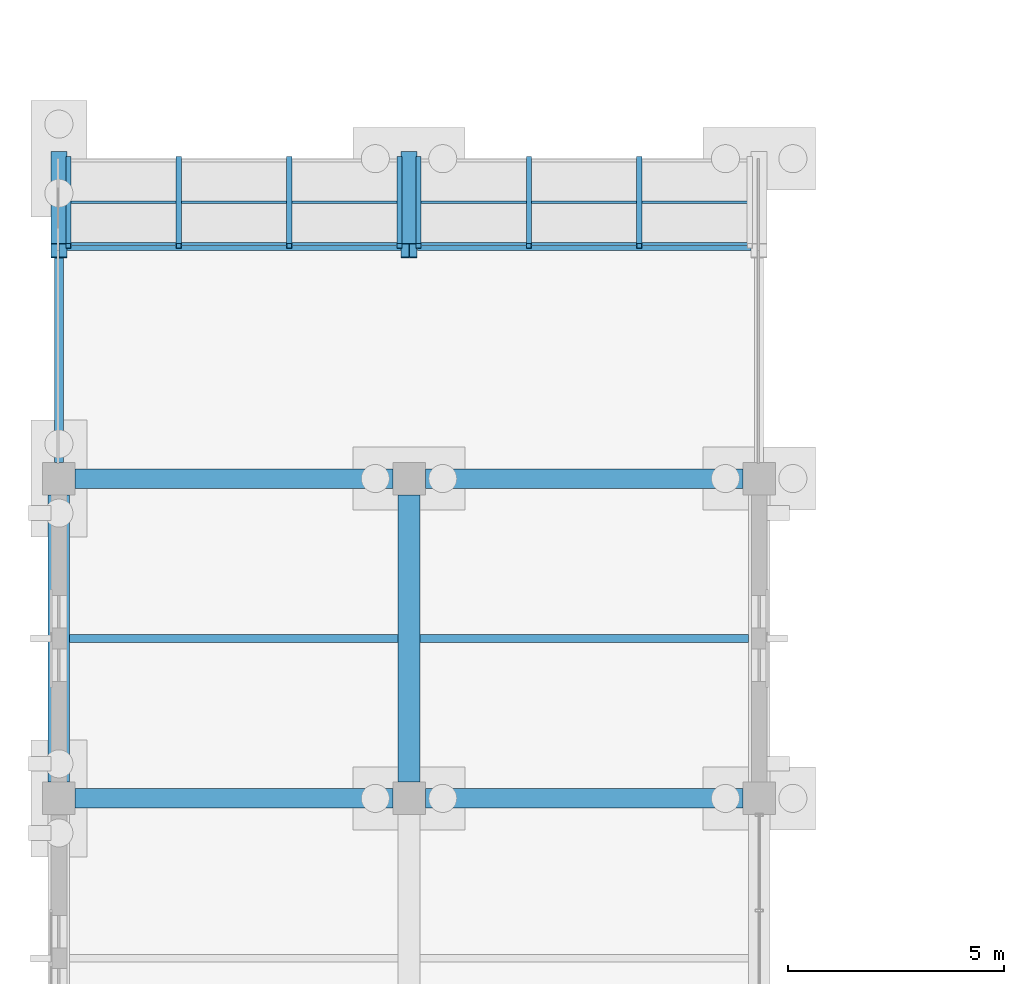
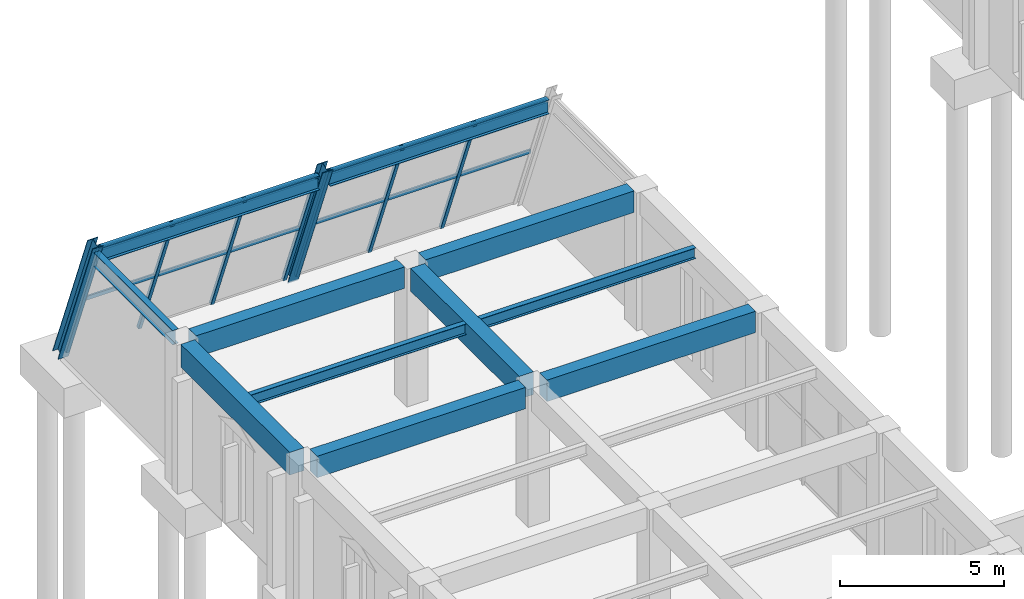
# One storey, part 57 of 140: 13 members, 11 beams, 2 elements without a shape of their own.
"""IFC4 building model written with IfcOpenShell, lengths in metres."""

from ifc_helpers import new_model, si_unit, direction, frame, origin, origin_2d, place, context, subcontext, project, spatial, rectangle, hollow_rectangle, i_section, extrude, material, material_profile, profile_set, type_object, element, aggregate, save


model = new_model("IFC4")

# Units and contexts
model_context = context("Model", 3, precision=1e-05, world=origin(), true_north=direction((0.0, 1.0)))
body_context = subcontext(model_context, "Body", "Model", "MODEL_VIEW")
ifc_project = project(units=[si_unit("LENGTHUNIT", "METRE"), si_unit("AREAUNIT", "SQUARE_METRE"), si_unit("VOLUMEUNIT", "CUBIC_METRE"), si_unit("PLANEANGLEUNIT", "RADIAN"), si_unit("MASSUNIT", "GRAM", prefix="KILO")], contexts=[model_context])

# Site, building, storey
site_placement = place(None, origin())
site = spatial("IfcSite", under=ifc_project, at=site_placement, CompositionType="ELEMENT")
building_placement = place(site_placement, origin())
building = spatial("IfcBuilding", under=site, at=building_placement, Name="Cimatlan Art Gallery", CompositionType="ELEMENT")
storey_placement = place(building_placement, origin())
storey = spatial("IfcBuildingStorey", under=building, at=storey_placement, Name="L00", CompositionType="ELEMENT", Elevation=0.0)

# Beams
ifc_material_1 = material(Name="Concrete C40/50", Category="concrete")
ifc_material_profile_1 = material_profile(ifc_material_1, rectangle(XDim=0.449951171875, YDim=0.800048828125, at=origin_2d()), Name="RC450X800")
ifc_profile_set_1 = profile_set([ifc_material_profile_1], Name="Concrete C40/50")
beam_type_1 = type_object("IfcBeamType", Name="BM-RC-450X800", PredefinedType="BEAM", material=ifc_profile_set_1)
for number, where, z_axis, x_axis, name in (
    (1, (2.375, 83.10009765625, 4.735107421875), (1.0, 0.0, 0.0), (0.0, 1.0, 0.0), "BM-X-L00-00-11"),
    (2, (2.375, 90.5, 4.735107421875), (1.0, 0.0, 0.0), (0.0, 1.0, 0.0), "BM-X-L00-00-12"),
):
    element("IfcBeam", number, at=place(storey_placement, frame(where, z_axis=z_axis, x_axis=x_axis)), inside=storey, type_object=beam_type_1, Name=name, PredefinedType="BEAM", context=body_context, shape_type="SweptSolid", body=[
        extrude(rectangle(XDim=0.449951171875, YDim=0.800048828125, at=origin_2d()), origin(), (0.0, 0.0, 1.0), 7.35009765625),
    ])
for number, where, z_axis, x_axis, name in (
    (3, (10.47509765625, 83.10009765625, 4.735107421875), (1.0, 0.0, 0.0), (0.0, 1.0, 0.0), "BM-X-L00-01-11"),
    (4, (10.47509765625, 90.5, 4.735107421875), (1.0, 0.0, 0.0), (0.0, 1.0, 0.0), "BM-X-L00-01-12"),
):
    element("IfcBeam", number, at=place(storey_placement, frame(where, z_axis=z_axis, x_axis=x_axis)), inside=storey, type_object=beam_type_1, Name=name, PredefinedType="BEAM", context=body_context, shape_type="SweptSolid", body=[
        extrude(rectangle(XDim=0.449951171875, YDim=0.800048828125, at=origin_2d()), origin(), (0.0, 0.0, 1.0), 7.349853515625),
    ])
ifc_material_profile_2 = material_profile(ifc_material_1, rectangle(XDim=0.5, YDim=0.85009765625, at=origin_2d()), Name="RC500X850")
ifc_profile_set_2 = profile_set([ifc_material_profile_2], Name="Concrete C40/50")
beam_type_2 = type_object("IfcBeamType", Name="BM-RC-500X850", PredefinedType="BEAM", material=ifc_profile_set_2)
for number, where, z_axis, x_axis, name in (
    (5, (2.0, 83.47509765625, 4.7099609375), (0.0, 1.0, 0.0), (-1.0, 0.0, 0.0), "BM-Y-L00-00-11"),
    (6, (10.10009765625, 83.47509765625, 4.7099609375), (0.0, 1.0, 0.0), (-1.0, 0.0, 0.0), "BM-Y-L00-01-11"),
):
    element("IfcBeam", number, at=place(storey_placement, frame(where, z_axis=z_axis, x_axis=x_axis)), inside=storey, type_object=beam_type_2, Name=name, PredefinedType="BEAM", context=body_context, shape_type="SweptSolid", body=[
        extrude(rectangle(XDim=0.5, YDim=0.85009765625, at=origin_2d()), origin(), (0.0, 0.0, 1.0), 6.64990234375),
    ])
ifc_material_2 = material(Name="Steel ASTM A992 Grade 50", Category="steel")
ifc_material_profile_3 = material_profile(ifc_material_2, i_section(OverallWidth=0.177978515625, OverallDepth=0.406982421875, WebThickness=0.0078125, FlangeThickness=0.0126953125, at=origin_2d()), Name="W16X40")
ifc_profile_set_3 = profile_set([ifc_material_profile_3], Name="Steel ASTM A992 Grade 50")
beam_type_3 = type_object("IfcBeamType", Name="BM-STL-W16X40", PredefinedType="JOIST", material=ifc_profile_set_3)
beam_1_placement = place(storey_placement, frame((2.25, 86.800048828125, 4.931396484375), z_axis=(1.0, 0.0, 0.0), x_axis=(0.0, 1.0, 0.0)))
element("IfcBeam", 7, at=beam_1_placement, inside=storey, type_object=beam_type_3, Name="JST-L00-00-11", PredefinedType="JOIST", context=body_context, shape_type="SweptSolid", body=[
    extrude(i_section(OverallWidth=0.177978515625, OverallDepth=0.406982421875, WebThickness=0.0078125, FlangeThickness=0.0126953125, at=origin_2d()), origin(), (0.0, 0.0, 1.0), 7.60009765625),
])
beam_2_placement = place(storey_placement, frame((10.35009765625, 86.800048828125, 4.931396484375), z_axis=(1.0, 0.0, 0.0), x_axis=(0.0, 1.0, 0.0)))
element("IfcBeam", 8, at=beam_2_placement, inside=storey, type_object=beam_type_3, Name="JST-L00-01-11", PredefinedType="JOIST", context=body_context, shape_type="SweptSolid", body=[
    extrude(i_section(OverallWidth=0.177978515625, OverallDepth=0.406982421875, WebThickness=0.0078125, FlangeThickness=0.0126953125, at=origin_2d()), origin(), (0.0, 0.0, 1.0), 7.599853515625),
])
ifc_material_profile_4 = material_profile(ifc_material_2, i_section(OverallWidth=0.2099609375, OverallDepth=0.532958984375, WebThickness=0.01025390625, FlangeThickness=0.015625, at=origin_2d()), Name="W21X62")
ifc_profile_set_4 = profile_set([ifc_material_profile_4], Name="Steel ASTM A992 Grade 50")
beam_type_4 = type_object("IfcBeamType", Name="BM-STL-W21X62", PredefinedType="BEAM", material=ifc_profile_set_4)
for number, where, z_axis, x_axis, name in (
    (9, (2.18994140625, 95.877197265625, 4.868408203125), (1.0, 0.0, 0.0), (0.0, 1.0, 0.0), "BM-PRW-X-L00-B1-0"),
    (10, (10.2900390625, 95.877197265625, 4.868408203125), (1.0, 0.0, 0.0), (0.0, 1.0, 0.0), "BM-PRW-X-L00-B1-1"),
):
    element("IfcBeam", number, at=place(storey_placement, frame(where, z_axis=z_axis, x_axis=x_axis)), inside=storey, type_object=beam_type_4, Name=name, PredefinedType="BEAM", context=body_context, shape_type="SweptSolid", body=[
        extrude(i_section(OverallWidth=0.2099609375, OverallDepth=0.532958984375, WebThickness=0.01025390625, FlangeThickness=0.015625, at=origin_2d()), origin(), (0.0, 0.0, 1.0), 7.719970703125),
    ])
beam_3_placement = place(storey_placement, frame((2.0, 90.875, 4.868408203125), z_axis=(0.0, 1.0, 0.0), x_axis=(-1.0, 0.0, 0.0)))
element("IfcBeam", 11, at=beam_3_placement, inside=storey, type_object=beam_type_4, Name="BM-PRW-Y-L00-B1-0", PredefinedType="BEAM", context=body_context, shape_type="SweptSolid", body=[
    extrude(i_section(OverallWidth=0.2099609375, OverallDepth=0.532958984375, WebThickness=0.01025390625, FlangeThickness=0.015625, at=origin_2d()), origin(), (0.0, 0.0, 1.0), 4.812255859375),
])

# Curtain wall, members
ifc_material_3 = material(Name="Raked steel-and-bronze lancet curtain wall", Category="steel")
curtain_wall_type = type_object("IfcCurtainWallType", Name="CW-RAK-07660X05503-B3", PredefinedType="NOTDEFINED", material=ifc_material_3)
curtain_wall_1_placement = place(storey_placement, origin())
curtain_wall_1 = element("IfcCurtainWall", 12, at=curtain_wall_1_placement, inside=storey, type_object=curtain_wall_type, Name="CW-PROW-L00-B1-0", PredefinedType="NOTDEFINED")
ifc_material_4 = material(Name="Steel ASTM A500 Grade C", Category="steel")
ifc_material_profile_5 = material_profile(ifc_material_4, hollow_rectangle(XDim=0.1201171875, YDim=0.1201171875, WallThickness=0.00634765625, at=origin_2d()), Name="HSS120X120X6")
ifc_profile_set_5 = profile_set([ifc_material_profile_5], Name="Steel ASTM A500 Grade C")
member_type_1 = type_object("IfcMemberType", Name="CW-MUL-RAK", PredefinedType="MULLION", material=ifc_profile_set_5)
member_1_placement = place(storey_placement, frame((2.219970703125, 97.89990234375, 0.0), z_axis=(0.0, -0.366459344578, 0.930434064709), x_axis=(1.0, 0.0, 0.0)))
member_1 = element("IfcMember", 13, at=member_1_placement, type_object=member_type_1, Name="CW-PROW-L00-B1-0-M1", PredefinedType="MULLION", context=body_context, shape_type="SweptSolid", body=[
    extrude(hollow_rectangle(XDim=0.1201171875, YDim=0.1201171875, WallThickness=0.00634765625, at=origin_2d()), origin(), (0.0, 0.0, 1.0), 5.5029296875),
])
member_2_placement = place(storey_placement, frame((4.773193359375, 97.89990234375, 0.0), z_axis=(0.0, -0.366459344578, 0.930434064709), x_axis=(1.0, 0.0, 0.0)))
member_2 = element("IfcMember", 14, at=member_2_placement, type_object=member_type_1, Name="CW-PROW-L00-B1-0-M2", PredefinedType="MULLION", context=body_context, shape_type="SweptSolid", body=[
    extrude(hollow_rectangle(XDim=0.1201171875, YDim=0.1201171875, WallThickness=0.00634765625, at=origin_2d()), origin(), (0.0, 0.0, 1.0), 5.5029296875),
])
member_3_placement = place(storey_placement, frame((7.32666015625, 97.89990234375, 0.0), z_axis=(0.0, -0.366459344578, 0.930434064709), x_axis=(1.0, 0.0, 0.0)))
member_3 = element("IfcMember", 15, at=member_3_placement, type_object=member_type_1, Name="CW-PROW-L00-B1-0-M3", PredefinedType="MULLION", context=body_context, shape_type="SweptSolid", body=[
    extrude(hollow_rectangle(XDim=0.1201171875, YDim=0.1201171875, WallThickness=0.00634765625, at=origin_2d()), origin(), (0.0, 0.0, 1.0), 5.5029296875),
])
member_4_placement = place(storey_placement, frame((9.8798828125, 97.89990234375, 0.0), z_axis=(0.0, -0.366459344578, 0.930434064709), x_axis=(1.0, 0.0, 0.0)))
member_4 = element("IfcMember", 16, at=member_4_placement, type_object=member_type_1, Name="CW-PROW-L00-B1-0-M4", PredefinedType="MULLION", context=body_context, shape_type="SweptSolid", body=[
    extrude(hollow_rectangle(XDim=0.1201171875, YDim=0.1201171875, WallThickness=0.00634765625, at=origin_2d()), origin(), (0.0, 0.0, 1.0), 5.5029296875),
])

curtain_wall_2_placement = place(storey_placement, origin())
curtain_wall_2 = element("IfcCurtainWall", 17, at=curtain_wall_2_placement, inside=storey, type_object=curtain_wall_type, Name="CW-PROW-L00-B1-1", PredefinedType="NOTDEFINED")
member_5_placement = place(storey_placement, frame((10.320068359375, 97.89990234375, 0.0), z_axis=(0.0, -0.366459344578, 0.930434064709), x_axis=(1.0, 0.0, 0.0)))
member_5 = element("IfcMember", 18, at=member_5_placement, type_object=member_type_1, Name="CW-PROW-L00-B1-1-M1", PredefinedType="MULLION", context=body_context, shape_type="SweptSolid", body=[
    extrude(hollow_rectangle(XDim=0.1201171875, YDim=0.1201171875, WallThickness=0.00634765625, at=origin_2d()), origin(), (0.0, 0.0, 1.0), 5.5029296875),
])
member_6_placement = place(storey_placement, frame((12.873291015625, 97.89990234375, 0.0), z_axis=(0.0, -0.366459344578, 0.930434064709), x_axis=(1.0, 0.0, 0.0)))
member_6 = element("IfcMember", 19, at=member_6_placement, type_object=member_type_1, Name="CW-PROW-L00-B1-1-M2", PredefinedType="MULLION", context=body_context, shape_type="SweptSolid", body=[
    extrude(hollow_rectangle(XDim=0.1201171875, YDim=0.1201171875, WallThickness=0.00634765625, at=origin_2d()), origin(), (0.0, 0.0, 1.0), 5.5029296875),
])
member_7_placement = place(storey_placement, frame((15.4267578125, 97.89990234375, 0.0), z_axis=(0.0, -0.366459344578, 0.930434064709), x_axis=(1.0, 0.0, 0.0)))
member_7 = element("IfcMember", 20, at=member_7_placement, type_object=member_type_1, Name="CW-PROW-L00-B1-1-M3", PredefinedType="MULLION", context=body_context, shape_type="SweptSolid", body=[
    extrude(hollow_rectangle(XDim=0.1201171875, YDim=0.1201171875, WallThickness=0.00634765625, at=origin_2d()), origin(), (0.0, 0.0, 1.0), 5.5029296875),
])

# Member
ifc_material_5 = material(Name="Anodised bronze aluminium 6063-T6", Category="aluminium")
ifc_material_profile_6 = material_profile(ifc_material_5, hollow_rectangle(XDim=0.06494140625, YDim=0.139892578125, WallThickness=0.00390625, at=origin_2d()), Name="ALU65X140X4")
ifc_profile_set_6 = profile_set([ifc_material_profile_6], Name="Anodised bronze aluminium 6063-T6")
member_type_2 = type_object("IfcMemberType", Name="CW-TRN-140", PredefinedType="USERDEFINED", material=ifc_profile_set_6)
member_8_placement = place(storey_placement, frame((2.219970703125, 96.8916015625, 2.56005859375), z_axis=(1.0, 0.0, 0.0), x_axis=(0.0, 1.0, 0.0)))
member_8 = element("IfcMember", 21, at=member_8_placement, type_object=member_type_2, Name="CW-PROW-L00-B1-0-T2", ObjectType="TRANSOM", PredefinedType="USERDEFINED", context=body_context, shape_type="SweptSolid", body=[
    extrude(hollow_rectangle(XDim=0.06494140625, YDim=0.139892578125, WallThickness=0.00390625, at=origin_2d()), origin(), (0.0, 0.0, 1.0), 7.659912109375),
])

member_9_placement = place(storey_placement, frame((2.219970703125, 95.923583984375, 5.017578125), z_axis=(1.0, 0.0, 0.0), x_axis=(0.0, 1.0, 0.0)))
member_9 = element("IfcMember", 22, at=member_9_placement, type_object=member_type_2, Name="CW-PROW-L00-B1-0-T3", ObjectType="TRANSOM", PredefinedType="USERDEFINED", context=body_context, shape_type="SweptSolid", body=[
    extrude(hollow_rectangle(XDim=0.06494140625, YDim=0.139892578125, WallThickness=0.00390625, at=origin_2d()), origin(), (0.0, 0.0, 1.0), 7.659912109375),
])

aggregate(curtain_wall_1, [member_1, member_2, member_3, member_4, member_8, member_9])

member_10_placement = place(storey_placement, frame((10.320068359375, 96.8916015625, 2.56005859375), z_axis=(1.0, 0.0, 0.0), x_axis=(0.0, 1.0, 0.0)))
member_10 = element("IfcMember", 23, at=member_10_placement, type_object=member_type_2, Name="CW-PROW-L00-B1-1-T2", ObjectType="TRANSOM", PredefinedType="USERDEFINED", context=body_context, shape_type="SweptSolid", body=[
    extrude(hollow_rectangle(XDim=0.06494140625, YDim=0.139892578125, WallThickness=0.00390625, at=origin_2d()), origin(), (0.0, 0.0, 1.0), 7.659912109375),
])

member_11_placement = place(storey_placement, frame((10.320068359375, 95.923583984375, 5.017578125), z_axis=(1.0, 0.0, 0.0), x_axis=(0.0, 1.0, 0.0)))
member_11 = element("IfcMember", 24, at=member_11_placement, type_object=member_type_2, Name="CW-PROW-L00-B1-1-T3", ObjectType="TRANSOM", PredefinedType="USERDEFINED", context=body_context, shape_type="SweptSolid", body=[
    extrude(hollow_rectangle(XDim=0.06494140625, YDim=0.139892578125, WallThickness=0.00390625, at=origin_2d()), origin(), (0.0, 0.0, 1.0), 7.659912109375),
])

aggregate(curtain_wall_2, [member_5, member_6, member_7, member_10, member_11])

# Members
ifc_material_profile_7 = material_profile(ifc_material_2, i_section(OverallWidth=0.37109375, OverallDepth=0.364013671875, WebThickness=0.01318359375, FlangeThickness=0.021728515625, at=origin_2d()), Name="W14X109")
ifc_profile_set_7 = profile_set([ifc_material_profile_7], Name="Steel ASTM A992 Grade 50")
member_type_3 = type_object("IfcMemberType", Name="MBR-RAK-W14X109", PredefinedType="RAFTER", material=ifc_profile_set_7)
for number, where, z_axis, x_axis, name in (
    (25, (2.0, 97.89990234375, 0.0), (0.0, -0.366482585354, 0.930424910797), (1.0, 0.0, 0.0), "MBR-RAK-L00-B1-00"),
    (26, (10.10009765625, 97.89990234375, 0.0), (0.0, -0.366482585354, 0.930424910797), (1.0, 0.0, 0.0), "MBR-RAK-L00-B1-01"),
):
    element("IfcMember", number, at=place(storey_placement, frame(where, z_axis=z_axis, x_axis=x_axis)), inside=storey, type_object=member_type_3, Name=name, PredefinedType="RAFTER", context=body_context, shape_type="SweptSolid", body=[
        extrude(i_section(OverallWidth=0.37109375, OverallDepth=0.364013671875, WebThickness=0.01318359375, FlangeThickness=0.021728515625, at=origin_2d()), origin(), (0.0, 0.0, 1.0), 5.8037109375),
    ])

save(model, "model.ifc")
